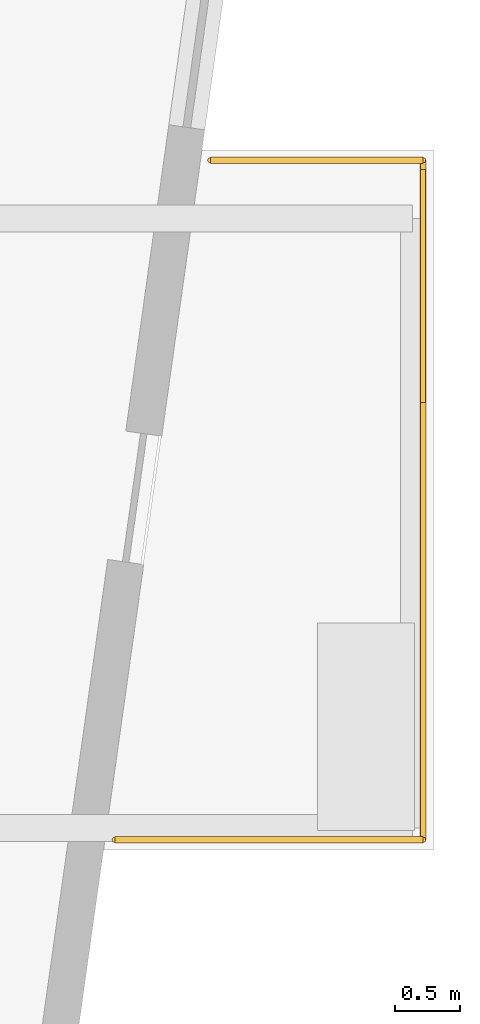
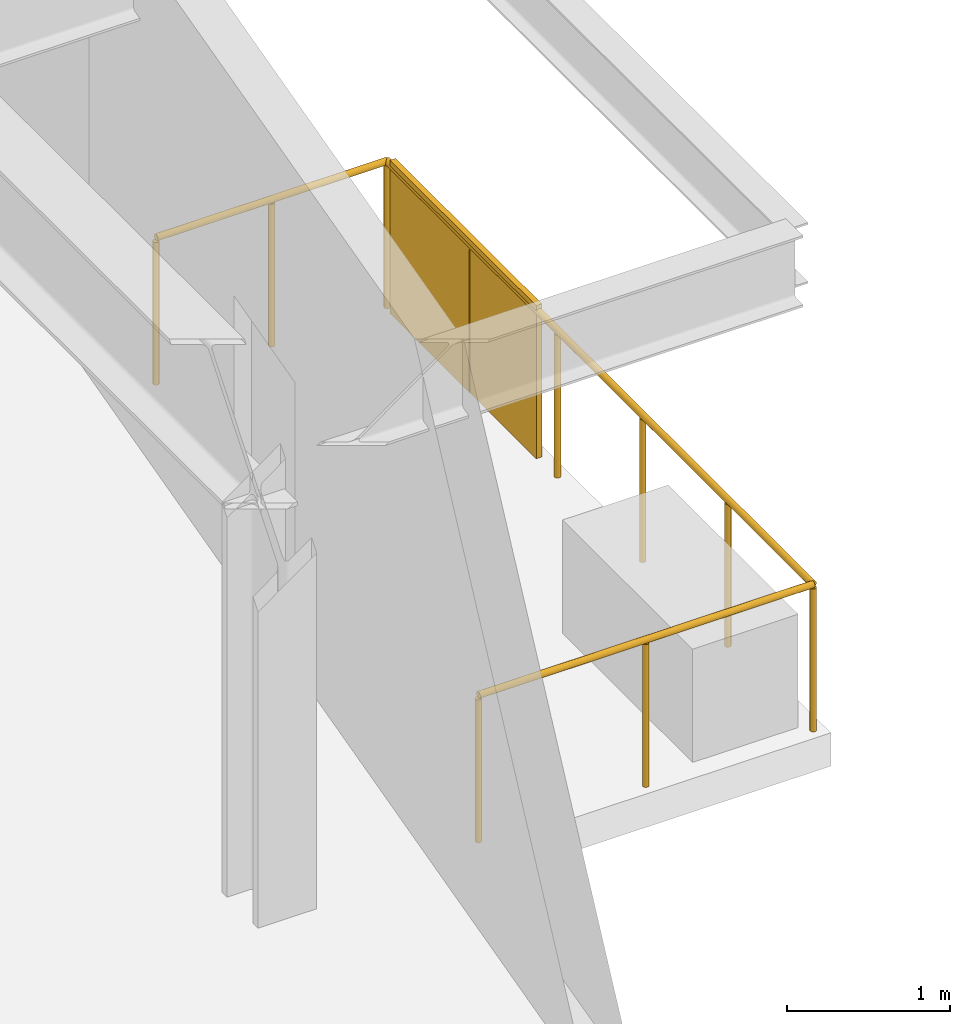
# One storey, part 24 of 26: 3 railings, 1 shading device.
"""IFC4 building model written with IfcOpenShell, lengths in metres."""

import ifcopenshell
import ifcopenshell.guid

model = None  # the IFC model being written
_history = None  # IfcOwnerHistory: only IFC2X3 demands one
_inside = {}  # id of a spatial element -> (the spatial element, [elements in it])
_under = {}  # id of a project, library or spatial element -> (it, [spatial elements below it])
_declared = {}  # id of a project -> (the project, [libraries it declares])
_typed = {}  # id of a type object -> (the type object, [elements of that type])
_made_of = {}  # id of a material, layer set ... -> (it, [elements and type objects made of it])


def new_model(schema):
    """Start an empty IFC model of exactly this schema.

    Asked for "IFC4X3", IfcOpenShell would pick the latest addendum, in which some entities
    have other attributes; the version numbers below select the first issue.
    IFC2X3 requires an IfcOwnerHistory on every rooted entity: one is made here for all.
    """
    global model, _history
    if schema == "IFC4X3":
        model = ifcopenshell.file(schema_version=(4, 3, 0, 0))
    else:
        model = ifcopenshell.file(schema=schema)
    _inside.clear()
    _under.clear()
    _declared.clear()
    _typed.clear()
    _made_of.clear()
    _history = None
    if model.schema == "IFC2X3":
        org = make("IfcOrganization", Name="unknown")
        user = make(
            "IfcPersonAndOrganization",
            ThePerson=make("IfcPerson", FamilyName="unknown"),
            TheOrganization=org,
        )
        app = make(
            "IfcApplication",
            ApplicationDeveloper=org,
            Version="unknown",
            ApplicationFullName="unknown",
            ApplicationIdentifier="unknown",
        )
        _history = make(
            "IfcOwnerHistory",
            OwningUser=user,
            OwningApplication=app,
            ChangeAction="ADDED",
            CreationDate=0,
        )
    return model


def make(cls, **values):
    """One entity of the class cls with the attributes given. An attribute that is None is left unset."""
    return model.create_entity(
        cls, **{name: value for name, value in values.items() if value is not None}
    )


def rooted(cls, **values):
    """An entity with a GlobalId (a new one), such as an element, a storey or a relation."""
    return make(cls, GlobalId=ifcopenshell.guid.new(), OwnerHistory=_history, **values)


def si_unit(unit_type, name, prefix=None):
    """IfcSIUnit, for example si_unit("LENGTHUNIT", "METRE", prefix="MILLI")."""
    return make("IfcSIUnit", UnitType=unit_type, Prefix=prefix, Name=name)


def assignment(units):
    """IfcUnitAssignment: the units of a project."""
    return None if units is None else make("IfcUnitAssignment", Units=units)


def point(xyz):
    """IfcCartesianPoint."""
    return None if xyz is None else make("IfcCartesianPoint", Coordinates=xyz)


def direction(xyz):
    """IfcDirection."""
    return None if xyz is None else make("IfcDirection", DirectionRatios=xyz)


def frame(location, z_axis=None, x_axis=None):
    """IfcAxis2Placement3D, a coordinate frame: its origin and axes. An axis left out is left unset."""
    return make(
        "IfcAxis2Placement3D",
        Location=point(location),
        Axis=direction(z_axis),
        RefDirection=direction(x_axis),
    )


def frame_2d(location, x_axis=None):
    """IfcAxis2Placement2D, a coordinate frame in the plane: its origin and x axis."""
    return make(
        "IfcAxis2Placement2D", Location=point(location), RefDirection=direction(x_axis)
    )


def origin():
    """The frame at (0, 0, 0) with its axes left unset."""
    return frame((0.0, 0.0, 0.0))


def origin_2d():
    """The frame at (0, 0) in the plane with its x axis left unset."""
    return frame_2d((0.0, 0.0))


def place(relative_to, where):
    """IfcLocalPlacement: puts the frame where relative to a parent placement (None: the world)."""
    return make(
        "IfcLocalPlacement", PlacementRelTo=relative_to, RelativePlacement=where
    )


def context(
    kind, dimensions, precision=None, world=None, true_north=None, identifier=None
):
    """IfcGeometricRepresentationContext, for example the 3D "Model" context."""
    return make(
        "IfcGeometricRepresentationContext",
        ContextIdentifier=identifier,
        ContextType=kind,
        CoordinateSpaceDimension=dimensions,
        Precision=precision,
        WorldCoordinateSystem=world,
        TrueNorth=true_north,
    )


def subcontext(parent, identifier, kind, view, scale=None):
    """IfcGeometricRepresentationSubContext, for example "Body" below "Model"."""
    return make(
        "IfcGeometricRepresentationSubContext",
        ContextIdentifier=identifier,
        ContextType=kind,
        ParentContext=parent,
        TargetScale=scale,
        TargetView=view,
    )


def project(units=None, contexts=None):
    """IfcProject with its units and contexts."""
    return rooted(
        "IfcProject",
        Name="project",
        RepresentationContexts=contexts,
        UnitsInContext=assignment(units),
    )


def spatial(cls, under=None, at=None, **own):
    """A site, building, storey or space (cls), placed at a placement, below another one or the project."""
    s = rooted(cls, ObjectPlacement=at, **own)
    if under is not None:
        _under.setdefault(under.id(), (under, []))[1].append(s)
    return s


def profile(cls, at=None, kind="AREA", **sizes):
    """A parametric profile (cls). Its sizes go by their IFC names, for example OverallWidth=200.0."""
    return make(cls, ProfileType=kind, Position=at, **sizes)


def rectangle(**sizes):
    """IfcRectangleProfileDef."""
    return profile("IfcRectangleProfileDef", **sizes)


def circle(**sizes):
    """IfcCircleProfileDef."""
    return profile("IfcCircleProfileDef", **sizes)


def extrude(swept, where, along, depth):
    """IfcExtrudedAreaSolid: the profile swept, set in the frame where, extruded along a direction by depth."""
    return make(
        "IfcExtrudedAreaSolid",
        SweptArea=swept,
        Position=where,
        ExtrudedDirection=direction(along),
        Depth=depth,
    )


def shape(context_of_items, identifier, shape_type, items):
    """IfcShapeRepresentation: the items that make up one representation, for example the "Body"."""
    return make(
        "IfcShapeRepresentation",
        ContextOfItems=context_of_items,
        RepresentationIdentifier=identifier,
        RepresentationType=shape_type,
        Items=items,
    )


def material(Name=None, Category=None):
    """IfcMaterial."""
    return make("IfcMaterial", Name=Name, Category=Category)


def layer(
    of_material, thickness, ventilated=None, Name=None, Category=None, Priority=None
):
    """IfcMaterialLayer: one layer of a wall or slab, of a material (None: an air gap)."""
    return make(
        "IfcMaterialLayer",
        Material=of_material,
        LayerThickness=thickness,
        IsVentilated=ventilated,
        Name=Name,
        Category=Category,
        Priority=Priority,
    )


def layer_set(layers, Name=None):
    """IfcMaterialLayerSet."""
    return make("IfcMaterialLayerSet", MaterialLayers=layers, LayerSetName=Name)


def made_of(thing, what):
    """Note that an element or type object is made of a material, layer set ...; save() writes the relation."""
    if what is not None:
        _made_of.setdefault(what.id(), (what, []))[1].append(thing)
    return thing


def type_object(cls, material=None, **own):
    """A type object (cls), such as IfcWallType, which elements share."""
    return made_of(rooted(cls, **own), material)


def element(
    cls,
    number,
    at=None,
    inside=None,
    cuts=None,
    type_object=None,
    material=None,
    context=None,
    identifier="Body",
    shape_type=None,
    held_by="IfcProductDefinitionShape",
    body=None,
    shapes=None,
    **own,
):
    """One element of the class cls, such as IfcWall. Its Tag is "e" and its number.

    at: its placement. inside: the storey or other place that contains it. cuts: it is an
    opening in that element (IfcRelVoidsElement). A single representation is given by context,
    identifier, shape_type and body (its items); several are given by shapes. held_by: the class
    of the entity that holds the representations. save() writes the other relations.
    """
    e = rooted(cls, Tag="e%d" % number, ObjectPlacement=at, **own)
    if body is not None:
        shapes = [shape(context, identifier, shape_type, body)]
    if shapes is not None:
        e.Representation = make(held_by, Representations=shapes)
    if inside is not None:
        _inside.setdefault(inside.id(), (inside, []))[1].append(e)
    if cuts is not None:
        rooted(
            "IfcRelVoidsElement", RelatingBuildingElement=cuts, RelatedOpeningElement=e
        )
    if type_object is not None:
        _typed.setdefault(type_object.id(), (type_object, []))[1].append(e)
    return made_of(e, material)


def aggregate(whole, parts):
    """IfcRelAggregates: a whole, such as a stair, and the parts it consists of."""
    return rooted("IfcRelAggregates", RelatingObject=whole, RelatedObjects=parts)


def save(model, path):
    """Write the relations noted so far, then the file.

    IfcRelAggregates (storeys below a building ...), IfcRelContainedInSpatialStructure (elements
    in a storey), IfcRelDefinesByType, IfcRelAssociatesMaterial and IfcRelDeclares: one each for
    every whole, place, type object, material and project.
    """
    for whole, parts in _under.values():
        aggregate(whole, parts)
    for where, things in _inside.values():
        rooted(
            "IfcRelContainedInSpatialStructure",
            RelatedElements=things,
            RelatingStructure=where,
        )
    for kind, things in _typed.values():
        rooted("IfcRelDefinesByType", RelatedObjects=things, RelatingType=kind)
    for what, things in _made_of.values():
        rooted("IfcRelAssociatesMaterial", RelatedObjects=things, RelatingMaterial=what)
    for by, libraries in _declared.values():
        rooted("IfcRelDeclares", RelatingContext=by, RelatedDefinitions=libraries)
    model.write(path)


model = new_model("IFC4")

# Units and contexts
model_context = context("Model", 3, precision=1e-05, world=origin(), true_north=direction((0.0, 1.0)))
body_context = subcontext(model_context, "Body", "Model", "MODEL_VIEW")
ifc_project = project(units=[si_unit("LENGTHUNIT", "METRE"), si_unit("AREAUNIT", "SQUARE_METRE"), si_unit("VOLUMEUNIT", "CUBIC_METRE"), si_unit("PLANEANGLEUNIT", "RADIAN"), si_unit("MASSUNIT", "GRAM", prefix="KILO")], contexts=[model_context])

# Site, building, storey
site_placement = place(None, origin())
site = spatial("IfcSite", under=ifc_project, at=site_placement, CompositionType="ELEMENT")
building_placement = place(site_placement, origin())
building = spatial("IfcBuilding", under=site, at=building_placement, Name="Kravanh Interchange Tower", CompositionType="ELEMENT")
storey_placement = place(building_placement, frame((0.0, 0.0, 144.0)))
storey = spatial("IfcBuildingStorey", under=building, at=storey_placement, Name="L34", CompositionType="ELEMENT", Elevation=144.0)

# Shading device
ifc_material_1 = material(Name="Perforated Anodised Bronze Aluminium", Category="aluminium")
ifc_layer_1 = layer(ifc_material_1, 0.0400390625)
ifc_layer_set_1 = layer_set([ifc_layer_1], Name="Perforated Bronze Balcony Privacy Screen 1150mm")
shading_device_type = type_object("IfcShadingDeviceType", Name="Perforated Bronze Balcony Privacy Screen 1150mm", PredefinedType="USERDEFINED", material=ifc_layer_set_1)
shading_device_placement = place(storey_placement, frame((69.409912109375, 30.97998046875, 0.0), z_axis=(0.0, 0.0, 1.0), x_axis=(1.0, 0.0, 0.0)))
element("IfcShadingDevice", 1, at=shading_device_placement, inside=storey, type_object=shading_device_type, Name="L34 E Perforated Bronze BALCONY SCREEN", ObjectType="SCREEN", PredefinedType="USERDEFINED", context=body_context, shape_type="SweptSolid", body=[
    extrude(rectangle(XDim=0.0400390625, YDim=1.800048828125, at=origin_2d()), origin(), (0.0, 0.0, 1.0), 1.14990234375),
])

# Railings
ifc_material_2 = material(Name="Stainless Steel 316", Category="steel")
ifc_layer_2 = layer(ifc_material_2, 0.06005859375)
ifc_layer_set_2 = layer_set([ifc_layer_2], Name="Perimeter Balcony and Terrace Guardrail Stainless 316 1120mm")
railing_type = type_object("IfcRailingType", Name="Perimeter Balcony and Terrace Guardrail Stainless 316 1120mm", PredefinedType="GUARDRAIL", material=ifc_layer_set_2)
railing_1_placement = place(storey_placement, frame((69.409912109375, 31.949951171875, 0.0)))
element("IfcRailing", 2, at=railing_1_placement, inside=storey, type_object=railing_type, Name="L34 E Balcony Guardrail 1", PredefinedType="GUARDRAIL", context=body_context, shape_type="SweptSolid", body=[
    extrude(circle(Radius=0.02392578125, at=origin_2d()), frame((0.0, 0.0, 1.09619140625), z_axis=(0.0, -1.0, 0.0), x_axis=(1.0, 0.0, 0.0)), (0.0, 0.0, 1.0), 5.239990234375),
    extrude(circle(Radius=0.02099609375, at=origin_2d()), origin(), (0.0, 0.0, 1.0), 1.072021484375),
    extrude(circle(Radius=0.02099609375, at=origin_2d()), frame((0.0, -1.048095703125, 0.0)), (0.0, 0.0, 1.0), 1.072021484375),
    extrude(circle(Radius=0.02099609375, at=origin_2d()), frame((0.0, -2.095947265625, 0.0)), (0.0, 0.0, 1.0), 1.072021484375),
    extrude(circle(Radius=0.02099609375, at=origin_2d()), frame((0.0, -3.14404296875, 0.0)), (0.0, 0.0, 1.0), 1.072021484375),
    extrude(circle(Radius=0.02099609375, at=origin_2d()), frame((0.0, -4.19189453125, 0.0)), (0.0, 0.0, 1.0), 1.072021484375),
    extrude(circle(Radius=0.02099609375, at=origin_2d()), frame((0.0, -5.239990234375, 0.0)), (0.0, 0.0, 1.0), 1.072021484375),
])
railing_2_placement = place(storey_placement, frame((69.409912109375, 26.7099609375, 0.0)))
element("IfcRailing", 3, at=railing_2_placement, inside=storey, type_object=railing_type, Name="L34 E Balcony Guardrail 2", PredefinedType="GUARDRAIL", context=body_context, shape_type="SweptSolid", body=[
    extrude(circle(Radius=0.02392578125, at=origin_2d()), frame((0.0, 0.0, 1.09619140625), z_axis=(-1.0, 0.0, 0.0), x_axis=(0.0, -1.0, 0.0)), (0.0, 0.0, 1.0), 2.37646484375),
    extrude(circle(Radius=0.02099609375, at=origin_2d()), origin(), (0.0, 0.0, 1.0), 1.072021484375),
    extrude(circle(Radius=0.02099609375, at=origin_2d()), frame((-1.188232421875, 0.0, 0.0)), (0.0, 0.0, 1.0), 1.072021484375),
    extrude(circle(Radius=0.02099609375, at=origin_2d()), frame((-2.37646484375, 0.0, 0.0)), (0.0, 0.0, 1.0), 1.072021484375),
])
railing_3_placement = place(storey_placement, frame((67.77001953125, 31.949951171875, 0.0)))
element("IfcRailing", 4, at=railing_3_placement, inside=storey, type_object=railing_type, Name="L34 E Balcony Guardrail 3", PredefinedType="GUARDRAIL", context=body_context, shape_type="SweptSolid", body=[
    extrude(circle(Radius=0.02392578125, at=origin_2d()), frame((0.0, 0.0, 1.09619140625), z_axis=(1.0, 0.0, 0.0), x_axis=(0.0, 1.0, 0.0)), (0.0, 0.0, 1.0), 1.639892578125),
    extrude(circle(Radius=0.02099609375, at=origin_2d()), origin(), (0.0, 0.0, 1.0), 1.072021484375),
    extrude(circle(Radius=0.02099609375, at=origin_2d()), frame((0.81982421875, 0.0, 0.0)), (0.0, 0.0, 1.0), 1.072021484375),
    extrude(circle(Radius=0.02099609375, at=origin_2d()), frame((1.639892578125, 0.0, 0.0)), (0.0, 0.0, 1.0), 1.072021484375),
])

save(model, "model.ifc")
